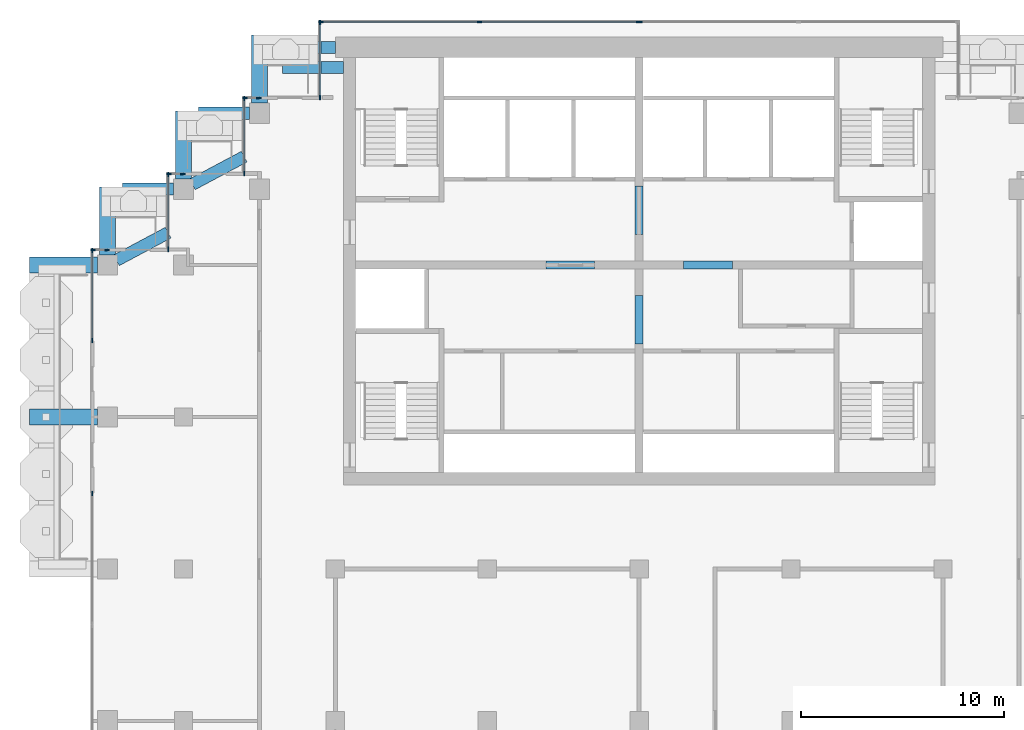
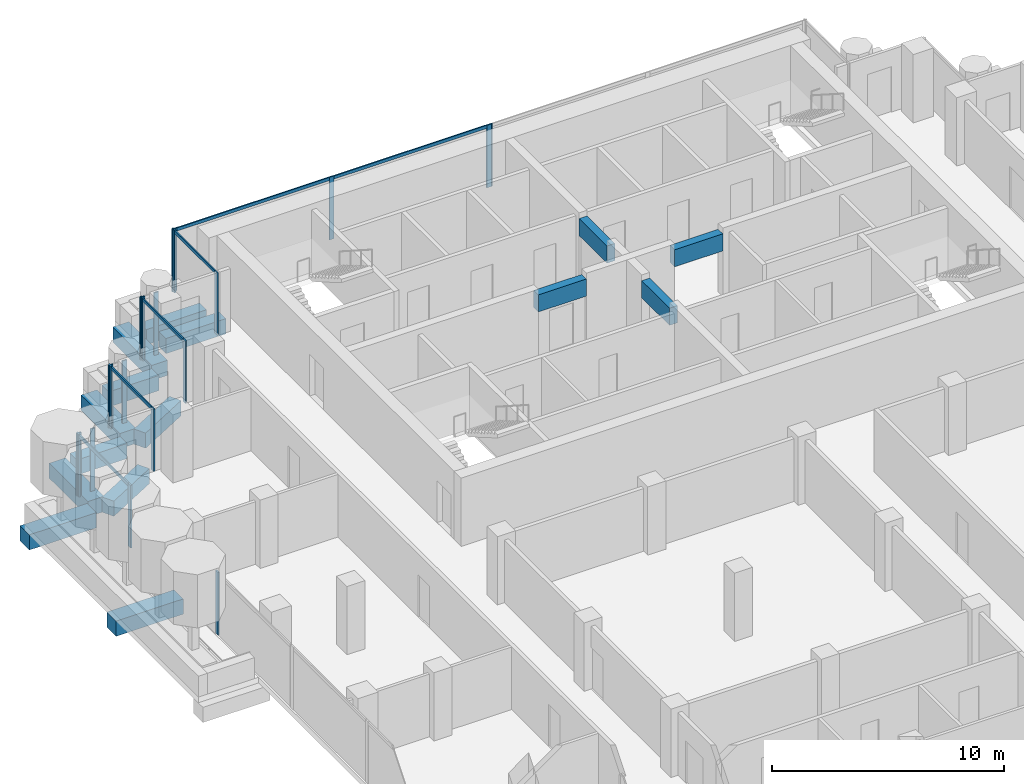
# One storey, part 5 of 17: 25 members, 15 beams, 10 elements without a shape of their own.
"""IFC4 building model written with IfcOpenShell, lengths in metres."""

from ifc_helpers import new_model, si_unit, direction, frame, origin, origin_2d, place, context, subcontext, project, spatial, rectangle, extrude, material, material_profile, profile_set, type_object, element, aggregate, save


model = new_model("IFC4")

# Units and contexts
model_context = context("Model", 3, precision=1e-05, world=origin(), true_north=direction((0.0, 1.0)))
body_context = subcontext(model_context, "Body", "Model", "MODEL_VIEW")
ifc_project = project(units=[si_unit("LENGTHUNIT", "METRE"), si_unit("AREAUNIT", "SQUARE_METRE"), si_unit("VOLUMEUNIT", "CUBIC_METRE"), si_unit("PLANEANGLEUNIT", "RADIAN"), si_unit("MASSUNIT", "GRAM", prefix="KILO")], contexts=[model_context])

# Site, building, storey
site_placement = place(None, origin())
site = spatial("IfcSite", under=ifc_project, at=site_placement, CompositionType="ELEMENT")
building_placement = place(site_placement, origin())
building = spatial("IfcBuilding", under=site, at=building_placement, Name="Pilkhan Gate Tower", CompositionType="ELEMENT")
storey_placement = place(building_placement, frame((0.0, 0.0, 213.89990234375)))
storey = spatial("IfcBuildingStorey", under=building, at=storey_placement, Name="L55", CompositionType="ELEMENT", Elevation=213.89990234375)

# Beams
ifc_material_1 = material(Name="Concrete C50/60", Category="concrete")
ifc_material_profile_1 = material_profile(ifc_material_1, rectangle(XDim=0.60009765625, YDim=0.800048828125, at=origin_2d()), Name="RC 600x800")
ifc_profile_set_1 = profile_set([ifc_material_profile_1], Name="Concrete C50/60")
beam_type_1 = type_object("IfcBeamType", Name="Cantilever beam CB1 RC 600x800 C50/60", PredefinedType="BEAM", material=ifc_profile_set_1)
for number, where, z_axis, x_axis, name in (
    (1, (60.0, 93.25, -0.699951171875), (-1.0, 0.0, 0.0), (0.0, -1.0, 0.0), "Balcony beam NW.2 L55"),
    (2, (60.39990234375, 92.25, -0.699951171875), (-1.0, 0.0, 0.0), (0.0, -1.0, 0.0), "Balcony beam NW.3 L55"),
):
    element("IfcBeam", number, at=place(storey_placement, frame(where, z_axis=z_axis, x_axis=x_axis)), inside=storey, type_object=beam_type_1, Name=name, PredefinedType="BEAM", context=body_context, shape_type="SweptSolid", body=[
        extrude(rectangle(XDim=0.60009765625, YDim=0.800048828125, at=origin_2d()), origin(), (0.0, 0.0, 1.0), 3.0),
    ])
beam_1_placement = place(storey_placement, frame((55.75, 90.0, -0.699951171875), z_axis=(-1.0, 0.0, 0.0), x_axis=(0.0, -1.0, 0.0)))
element("IfcBeam", 3, at=beam_1_placement, inside=storey, type_object=beam_type_1, Name="Balcony beam NW1.2 L55", PredefinedType="BEAM", context=body_context, shape_type="SweptSolid", body=[
    extrude(rectangle(XDim=0.60009765625, YDim=0.800048828125, at=origin_2d()), origin(), (0.0, 0.0, 1.0), 2.5),
])
beam_2_placement = place(storey_placement, frame((52.941162109375, 86.4853515625, -0.699951171875), z_axis=(0.882348280344, 0.470596974251, 0.0), x_axis=(-0.470596974251, 0.882348280344, 0.0)))
element("IfcBeam", 4, at=beam_2_placement, inside=storey, type_object=beam_type_1, Name="Balcony beam NW1.3 L55", PredefinedType="BEAM", context=body_context, shape_type="SweptSolid", body=[
    extrude(rectangle(XDim=0.60009765625, YDim=0.800048828125, at=origin_2d()), origin(), (0.0, 0.0, 1.0), 2.900146484375),
])
beam_3_placement = place(storey_placement, frame((52.0, 86.25, -0.699951171875), z_axis=(-1.0, 0.0, 0.0), x_axis=(0.0, -1.0, 0.0)))
element("IfcBeam", 5, at=beam_3_placement, inside=storey, type_object=beam_type_1, Name="Balcony beam NW2.2 L55", PredefinedType="BEAM", context=body_context, shape_type="SweptSolid", body=[
    extrude(rectangle(XDim=0.60009765625, YDim=0.800048828125, at=origin_2d()), origin(), (0.0, 0.0, 1.0), 2.5),
])
beam_4_placement = place(storey_placement, frame((49.191162109375, 82.7353515625, -0.699951171875), z_axis=(0.882348280344, 0.470596974251, 0.0), x_axis=(-0.470596974251, 0.882348280344, 0.0)))
element("IfcBeam", 6, at=beam_4_placement, inside=storey, type_object=beam_type_1, Name="Balcony beam NW2.3 L55", PredefinedType="BEAM", context=body_context, shape_type="SweptSolid", body=[
    extrude(rectangle(XDim=0.60009765625, YDim=0.800048828125, at=origin_2d()), origin(), (0.0, 0.0, 1.0), 2.900146484375),
])
ifc_material_profile_2 = material_profile(ifc_material_1, rectangle(XDim=0.800048828125, YDim=0.800048828125, at=origin_2d()), Name="RC 800x800")
ifc_profile_set_2 = profile_set([ifc_material_profile_2], Name="Concrete C50/60")
beam_type_2 = type_object("IfcBeamType", Name="Cantilever beam CB2 RC 800x800 C50/60", PredefinedType="BEAM", material=ifc_profile_set_2)
for number, where, z_axis, x_axis, name in (
    (7, (56.25, 90.5, -0.699951171875), (0.0, 1.0, 0.0), (-1.0, 0.0, 0.0), "Balcony beam NW.1 L55"),
    (8, (52.5, 86.75, -0.699951171875), (0.0, 1.0, 0.0), (-1.0, 0.0, 0.0), "Balcony beam NW1.1 L55"),
    (9, (48.75, 83.0, -0.699951171875), (0.0, 1.0, 0.0), (-1.0, 0.0, 0.0), "Balcony beam NW2.1 L55"),
    (10, (48.25, 75.0, -0.699951171875), (-1.0, 0.0, 0.0), (0.0, -1.0, 0.0), "Balcony beam W.2 L55"),
    (11, (48.25, 82.5, -0.699951171875), (-1.0, 0.0, 0.0), (0.0, -1.0, 0.0), "Balcony beam W.3 L55"),
):
    element("IfcBeam", number, at=place(storey_placement, frame(where, z_axis=z_axis, x_axis=x_axis)), inside=storey, type_object=beam_type_2, Name=name, PredefinedType="BEAM", context=body_context, shape_type="SweptSolid", body=[
        extrude(rectangle(XDim=0.800048828125, YDim=0.800048828125, at=origin_2d()), origin(), (0.0, 0.0, 1.0), 3.35009765625),
    ])
ifc_material_profile_3 = material_profile(ifc_material_1, rectangle(XDim=0.39990234375, YDim=0.89990234375, at=origin_2d()), Name="RC 400x900")
ifc_profile_set_3 = profile_set([ifc_material_profile_3], Name="Concrete C50/60")
beam_type_3 = type_object("IfcBeamType", Name="Coupling beam CB90-4 RC 400x900 C50/60", PredefinedType="LINTEL", material=ifc_profile_set_3)
for number, where, z_axis, x_axis, name in (
    (12, (70.39990234375, 82.5, 2.85009765625), (1.0, 0.0, 0.0), (0.0, 1.0, 0.0), "Coupling beam 1 L55"),
    (13, (77.199951171875, 82.5, 2.85009765625), (1.0, 0.0, 0.0), (0.0, 1.0, 0.0), "Coupling beam 2 L55"),
):
    element("IfcBeam", number, at=place(storey_placement, frame(where, z_axis=z_axis, x_axis=x_axis)), inside=storey, type_object=beam_type_3, Name=name, PredefinedType="LINTEL", context=body_context, shape_type="SweptSolid", body=[
        extrude(rectangle(XDim=0.39990234375, YDim=0.89990234375, at=origin_2d()), origin(), (0.0, 0.0, 1.0), 2.400146484375),
    ])
for number, where, z_axis, x_axis, name in (
    (14, (75.0, 78.60009765625, 2.85009765625), (0.0, 1.0, 0.0), (-1.0, 0.0, 0.0), "Coupling beam 3 L55"),
    (15, (75.0, 84.0, 2.85009765625), (0.0, 1.0, 0.0), (-1.0, 0.0, 0.0), "Coupling beam 4 L55"),
):
    element("IfcBeam", number, at=place(storey_placement, frame(where, z_axis=z_axis, x_axis=x_axis)), inside=storey, type_object=beam_type_3, Name=name, PredefinedType="LINTEL", context=body_context, shape_type="SweptSolid", body=[
        extrude(rectangle(XDim=0.39990234375, YDim=0.89990234375, at=origin_2d()), origin(), (0.0, 0.0, 1.0), 2.39990234375),
    ])

# Curtain wall, members
ifc_material_2 = material(Name="Pale anodised aluminium, clear low-iron double glazing", Category="aluminium")
curtain_wall_type = type_object("IfcCurtainWallType", Name="Office unitised curtain wall CW-O2", PredefinedType="USERDEFINED", material=ifc_material_2)
curtain_wall_1_placement = place(storey_placement, origin())
curtain_wall_1 = element("IfcCurtainWall", 16, at=curtain_wall_1_placement, inside=storey, type_object=curtain_wall_type, Name="Office unitised curtain wall CW-O2 L55 N", ObjectType="UNITISED CURTAIN WALL", PredefinedType="USERDEFINED")
ifc_material_3 = material(Name="Pale anodised aluminium", Category="aluminium")
ifc_material_profile_4 = material_profile(ifc_material_3, rectangle(XDim=0.06494140625, YDim=0.22509765625, at=origin_2d()), Name="Mullion 225x65")
ifc_profile_set_4 = profile_set([ifc_material_profile_4], Name="Pale anodised aluminium")
member_type_1 = type_object("IfcMemberType", Name="Mullion CW-O2 225x65", PredefinedType="MULLION", material=ifc_profile_set_4)
member_1_placement = place(storey_placement, frame((59.282470703125, 94.5, 0.0), z_axis=(0.0, 0.0, 1.0), x_axis=(0.0, 1.0, 0.0)))
member_1 = element("IfcMember", 17, at=member_1_placement, type_object=member_type_1, Name="CW-O2 mullion 1", PredefinedType="MULLION", context=body_context, shape_type="SweptSolid", body=[
    extrude(rectangle(XDim=0.06494140625, YDim=0.22509765625, at=origin_2d()), origin(), (0.0, 0.0, 1.0), 3.300048828125),
])
member_2_placement = place(storey_placement, frame((67.125, 94.5, 0.0), z_axis=(0.0, 0.0, 1.0), x_axis=(0.0, 1.0, 0.0)))
member_2 = element("IfcMember", 18, at=member_2_placement, type_object=member_type_1, Name="CW-O2 mullion 2", PredefinedType="MULLION", context=body_context, shape_type="SweptSolid", body=[
    extrude(rectangle(XDim=0.06494140625, YDim=0.22509765625, at=origin_2d()), origin(), (0.0, 0.0, 1.0), 3.300048828125),
])
member_3_placement = place(storey_placement, frame((74.967529296875, 94.5, 0.0), z_axis=(0.0, 0.0, 1.0), x_axis=(0.0, 1.0, 0.0)))
member_3 = element("IfcMember", 19, at=member_3_placement, type_object=member_type_1, Name="CW-O2 mullion 3", PredefinedType="MULLION", context=body_context, shape_type="SweptSolid", body=[
    extrude(rectangle(XDim=0.06494140625, YDim=0.22509765625, at=origin_2d()), origin(), (0.0, 0.0, 1.0), 3.300048828125),
])

# Curtain wall, member
curtain_wall_2_placement = place(storey_placement, origin())
curtain_wall_2 = element("IfcCurtainWall", 20, at=curtain_wall_2_placement, inside=storey, type_object=curtain_wall_type, Name="Office unitised curtain wall CW-O2 L55 N", ObjectType="UNITISED CURTAIN WALL", PredefinedType="USERDEFINED")
member_4_placement = place(storey_placement, frame((75.032470703125, 94.5, 0.0), z_axis=(0.0, 0.0, 1.0), x_axis=(0.0, 1.0, 0.0)))
member_4 = element("IfcMember", 21, at=member_4_placement, type_object=member_type_1, Name="CW-O2 mullion 1", PredefinedType="MULLION", context=body_context, shape_type="SweptSolid", body=[
    extrude(rectangle(XDim=0.06494140625, YDim=0.22509765625, at=origin_2d()), origin(), (0.0, 0.0, 1.0), 3.300048828125),
])
aggregate(curtain_wall_2, [member_4])

# Curtain wall, members
curtain_wall_3_placement = place(storey_placement, origin())
curtain_wall_3 = element("IfcCurtainWall", 22, at=curtain_wall_3_placement, inside=storey, type_object=curtain_wall_type, Name="Office unitised curtain wall CW-O2 L55 W", ObjectType="UNITISED CURTAIN WALL", PredefinedType="USERDEFINED")
member_5_placement = place(storey_placement, frame((59.25, 90.782470703125, 0.0), z_axis=(0.0, 0.0, 1.0), x_axis=(-1.0, 0.0, 0.0)))
member_5 = element("IfcMember", 23, at=member_5_placement, type_object=member_type_1, Name="CW-O2 mullion 1", PredefinedType="MULLION", context=body_context, shape_type="SweptSolid", body=[
    extrude(rectangle(XDim=0.06494140625, YDim=0.22509765625, at=origin_2d()), origin(), (0.0, 0.0, 1.0), 3.300048828125),
])
member_6_placement = place(storey_placement, frame((59.25, 94.467529296875, 0.0), z_axis=(0.0, 0.0, 1.0), x_axis=(-1.0, 0.0, 0.0)))
member_6 = element("IfcMember", 24, at=member_6_placement, type_object=member_type_1, Name="CW-O2 mullion 2", PredefinedType="MULLION", context=body_context, shape_type="SweptSolid", body=[
    extrude(rectangle(XDim=0.06494140625, YDim=0.22509765625, at=origin_2d()), origin(), (0.0, 0.0, 1.0), 3.300048828125),
])

curtain_wall_4_placement = place(storey_placement, origin())
curtain_wall_4 = element("IfcCurtainWall", 25, at=curtain_wall_4_placement, inside=storey, type_object=curtain_wall_type, Name="Office unitised curtain wall CW-O2 L55 N", ObjectType="UNITISED CURTAIN WALL", PredefinedType="USERDEFINED")
member_7_placement = place(storey_placement, frame((55.532470703125, 90.75, 0.0), z_axis=(0.0, 0.0, 1.0), x_axis=(0.0, 1.0, 0.0)))
member_7 = element("IfcMember", 26, at=member_7_placement, type_object=member_type_1, Name="CW-O2 mullion 1", PredefinedType="MULLION", context=body_context, shape_type="SweptSolid", body=[
    extrude(rectangle(XDim=0.06494140625, YDim=0.22509765625, at=origin_2d()), origin(), (0.0, 0.0, 1.0), 3.300048828125),
])
member_8_placement = place(storey_placement, frame((56.217529296875, 90.75, 0.0), z_axis=(0.0, 0.0, 1.0), x_axis=(0.0, 1.0, 0.0)))
member_8 = element("IfcMember", 27, at=member_8_placement, type_object=member_type_1, Name="CW-O2 mullion 2", PredefinedType="MULLION", context=body_context, shape_type="SweptSolid", body=[
    extrude(rectangle(XDim=0.06494140625, YDim=0.22509765625, at=origin_2d()), origin(), (0.0, 0.0, 1.0), 3.300048828125),
])
aggregate(curtain_wall_4, [member_7, member_8])

curtain_wall_5_placement = place(storey_placement, origin())
curtain_wall_5 = element("IfcCurtainWall", 28, at=curtain_wall_5_placement, inside=storey, type_object=curtain_wall_type, Name="Office unitised curtain wall CW-O2 L55 W", ObjectType="UNITISED CURTAIN WALL", PredefinedType="USERDEFINED")
member_9_placement = place(storey_placement, frame((55.5, 87.032470703125, 0.0), z_axis=(0.0, 0.0, 1.0), x_axis=(-1.0, 0.0, 0.0)))
member_9 = element("IfcMember", 29, at=member_9_placement, type_object=member_type_1, Name="CW-O2 mullion 1", PredefinedType="MULLION", context=body_context, shape_type="SweptSolid", body=[
    extrude(rectangle(XDim=0.06494140625, YDim=0.22509765625, at=origin_2d()), origin(), (0.0, 0.0, 1.0), 3.300048828125),
])
member_10_placement = place(storey_placement, frame((55.5, 90.717529296875, 0.0), z_axis=(0.0, 0.0, 1.0), x_axis=(-1.0, 0.0, 0.0)))
member_10 = element("IfcMember", 30, at=member_10_placement, type_object=member_type_1, Name="CW-O2 mullion 2", PredefinedType="MULLION", context=body_context, shape_type="SweptSolid", body=[
    extrude(rectangle(XDim=0.06494140625, YDim=0.22509765625, at=origin_2d()), origin(), (0.0, 0.0, 1.0), 3.300048828125),
])

curtain_wall_6_placement = place(storey_placement, origin())
curtain_wall_6 = element("IfcCurtainWall", 31, at=curtain_wall_6_placement, inside=storey, type_object=curtain_wall_type, Name="Office unitised curtain wall CW-O2 L55 N", ObjectType="UNITISED CURTAIN WALL", PredefinedType="USERDEFINED")
member_11_placement = place(storey_placement, frame((51.782470703125, 87.0, 0.0), z_axis=(0.0, 0.0, 1.0), x_axis=(0.0, 1.0, 0.0)))
member_11 = element("IfcMember", 32, at=member_11_placement, type_object=member_type_1, Name="CW-O2 mullion 1", PredefinedType="MULLION", context=body_context, shape_type="SweptSolid", body=[
    extrude(rectangle(XDim=0.06494140625, YDim=0.22509765625, at=origin_2d()), origin(), (0.0, 0.0, 1.0), 3.300048828125),
])
member_12_placement = place(storey_placement, frame((52.467529296875, 87.0, 0.0), z_axis=(0.0, 0.0, 1.0), x_axis=(0.0, 1.0, 0.0)))
member_12 = element("IfcMember", 33, at=member_12_placement, type_object=member_type_1, Name="CW-O2 mullion 2", PredefinedType="MULLION", context=body_context, shape_type="SweptSolid", body=[
    extrude(rectangle(XDim=0.06494140625, YDim=0.22509765625, at=origin_2d()), origin(), (0.0, 0.0, 1.0), 3.300048828125),
])
aggregate(curtain_wall_6, [member_11, member_12])

curtain_wall_7_placement = place(storey_placement, origin())
curtain_wall_7 = element("IfcCurtainWall", 34, at=curtain_wall_7_placement, inside=storey, type_object=curtain_wall_type, Name="Office unitised curtain wall CW-O2 L55 W", ObjectType="UNITISED CURTAIN WALL", PredefinedType="USERDEFINED")
member_13_placement = place(storey_placement, frame((51.75, 83.282470703125, 0.0), z_axis=(0.0, 0.0, 1.0), x_axis=(-1.0, 0.0, 0.0)))
member_13 = element("IfcMember", 35, at=member_13_placement, type_object=member_type_1, Name="CW-O2 mullion 1", PredefinedType="MULLION", context=body_context, shape_type="SweptSolid", body=[
    extrude(rectangle(XDim=0.06494140625, YDim=0.22509765625, at=origin_2d()), origin(), (0.0, 0.0, 1.0), 3.300048828125),
])
member_14_placement = place(storey_placement, frame((51.75, 86.967529296875, 0.0), z_axis=(0.0, 0.0, 1.0), x_axis=(-1.0, 0.0, 0.0)))
member_14 = element("IfcMember", 36, at=member_14_placement, type_object=member_type_1, Name="CW-O2 mullion 2", PredefinedType="MULLION", context=body_context, shape_type="SweptSolid", body=[
    extrude(rectangle(XDim=0.06494140625, YDim=0.22509765625, at=origin_2d()), origin(), (0.0, 0.0, 1.0), 3.300048828125),
])

curtain_wall_8_placement = place(storey_placement, origin())
curtain_wall_8 = element("IfcCurtainWall", 37, at=curtain_wall_8_placement, inside=storey, type_object=curtain_wall_type, Name="Office unitised curtain wall CW-O2 L55 N", ObjectType="UNITISED CURTAIN WALL", PredefinedType="USERDEFINED")
member_15_placement = place(storey_placement, frame((48.032470703125, 83.25, 0.0), z_axis=(0.0, 0.0, 1.0), x_axis=(0.0, 1.0, 0.0)))
member_15 = element("IfcMember", 38, at=member_15_placement, type_object=member_type_1, Name="CW-O2 mullion 1", PredefinedType="MULLION", context=body_context, shape_type="SweptSolid", body=[
    extrude(rectangle(XDim=0.06494140625, YDim=0.22509765625, at=origin_2d()), origin(), (0.0, 0.0, 1.0), 3.300048828125),
])
member_16_placement = place(storey_placement, frame((48.717529296875, 83.25, 0.0), z_axis=(0.0, 0.0, 1.0), x_axis=(0.0, 1.0, 0.0)))
member_16 = element("IfcMember", 39, at=member_16_placement, type_object=member_type_1, Name="CW-O2 mullion 2", PredefinedType="MULLION", context=body_context, shape_type="SweptSolid", body=[
    extrude(rectangle(XDim=0.06494140625, YDim=0.22509765625, at=origin_2d()), origin(), (0.0, 0.0, 1.0), 3.300048828125),
])
aggregate(curtain_wall_8, [member_15, member_16])

# Curtain wall, member
curtain_wall_9_placement = place(storey_placement, origin())
curtain_wall_9 = element("IfcCurtainWall", 40, at=curtain_wall_9_placement, inside=storey, type_object=curtain_wall_type, Name="Office unitised curtain wall CW-O2 L55 W", ObjectType="UNITISED CURTAIN WALL", PredefinedType="USERDEFINED")
member_17_placement = place(storey_placement, frame((48.0, 71.217529296875, 0.0), z_axis=(0.0, 0.0, 1.0), x_axis=(-1.0, 0.0, 0.0)))
member_17 = element("IfcMember", 41, at=member_17_placement, type_object=member_type_1, Name="CW-O2 mullion 2", PredefinedType="MULLION", context=body_context, shape_type="SweptSolid", body=[
    extrude(rectangle(XDim=0.06494140625, YDim=0.22509765625, at=origin_2d()), origin(), (0.0, 0.0, 1.0), 3.300048828125),
])
aggregate(curtain_wall_9, [member_17])

# Curtain wall, members
curtain_wall_10_placement = place(storey_placement, origin())
curtain_wall_10 = element("IfcCurtainWall", 42, at=curtain_wall_10_placement, inside=storey, type_object=curtain_wall_type, Name="Office unitised curtain wall CW-O2 L55 W", ObjectType="UNITISED CURTAIN WALL", PredefinedType="USERDEFINED")
member_18_placement = place(storey_placement, frame((48.0, 78.782470703125, 0.0), z_axis=(0.0, 0.0, 1.0), x_axis=(-1.0, 0.0, 0.0)))
member_18 = element("IfcMember", 43, at=member_18_placement, type_object=member_type_1, Name="CW-O2 mullion 1", PredefinedType="MULLION", context=body_context, shape_type="SweptSolid", body=[
    extrude(rectangle(XDim=0.06494140625, YDim=0.22509765625, at=origin_2d()), origin(), (0.0, 0.0, 1.0), 3.300048828125),
])
member_19_placement = place(storey_placement, frame((48.0, 83.217529296875, 0.0), z_axis=(0.0, 0.0, 1.0), x_axis=(-1.0, 0.0, 0.0)))
member_19 = element("IfcMember", 44, at=member_19_placement, type_object=member_type_1, Name="CW-O2 mullion 2", PredefinedType="MULLION", context=body_context, shape_type="SweptSolid", body=[
    extrude(rectangle(XDim=0.06494140625, YDim=0.22509765625, at=origin_2d()), origin(), (0.0, 0.0, 1.0), 3.300048828125),
])

# Member
ifc_material_profile_5 = material_profile(ifc_material_3, rectangle(XDim=0.06494140625, YDim=0.1650390625, at=origin_2d()), Name="Transom 165x65")
ifc_profile_set_5 = profile_set([ifc_material_profile_5], Name="Pale anodised aluminium")
member_type_2 = type_object("IfcMemberType", Name="Transom CW-O2 165x65", PredefinedType="USERDEFINED", material=ifc_profile_set_5)
member_20_placement = place(storey_placement, frame((59.31494140625, 94.5, 3.217529296875), z_axis=(1.0, 0.0, 0.0), x_axis=(0.0, 1.0, 0.0)))
member_20 = element("IfcMember", 45, at=member_20_placement, type_object=member_type_2, Name="CW-O2 transom 1", ObjectType="TRANSOM", PredefinedType="USERDEFINED", context=body_context, shape_type="SweptSolid", body=[
    extrude(rectangle(XDim=0.06494140625, YDim=0.1650390625, at=origin_2d()), origin(), (0.0, 0.0, 1.0), 7.777587890625),
])

member_21_placement = place(storey_placement, frame((67.157470703125, 94.5, 3.217529296875), z_axis=(1.0, 0.0, 0.0), x_axis=(0.0, 1.0, 0.0)))
member_21 = element("IfcMember", 46, at=member_21_placement, type_object=member_type_2, Name="CW-O2 transom 2", ObjectType="TRANSOM", PredefinedType="USERDEFINED", context=body_context, shape_type="SweptSolid", body=[
    extrude(rectangle(XDim=0.06494140625, YDim=0.1650390625, at=origin_2d()), origin(), (0.0, 0.0, 1.0), 7.777587890625),
])

aggregate(curtain_wall_1, [member_1, member_2, member_3, member_20, member_21])

member_22_placement = place(storey_placement, frame((59.25, 90.81494140625, 3.217529296875), z_axis=(0.0, 1.0, 0.0), x_axis=(-1.0, 0.0, 0.0)))
member_22 = element("IfcMember", 47, at=member_22_placement, type_object=member_type_2, Name="CW-O2 transom 1", ObjectType="TRANSOM", PredefinedType="USERDEFINED", context=body_context, shape_type="SweptSolid", body=[
    extrude(rectangle(XDim=0.06494140625, YDim=0.1650390625, at=origin_2d()), origin(), (0.0, 0.0, 1.0), 3.6201171875),
])

aggregate(curtain_wall_3, [member_5, member_6, member_22])

member_23_placement = place(storey_placement, frame((55.5, 87.06494140625, 3.217529296875), z_axis=(0.0, 1.0, 0.0), x_axis=(-1.0, 0.0, 0.0)))
member_23 = element("IfcMember", 48, at=member_23_placement, type_object=member_type_2, Name="CW-O2 transom 1", ObjectType="TRANSOM", PredefinedType="USERDEFINED", context=body_context, shape_type="SweptSolid", body=[
    extrude(rectangle(XDim=0.06494140625, YDim=0.1650390625, at=origin_2d()), origin(), (0.0, 0.0, 1.0), 3.6201171875),
])

aggregate(curtain_wall_5, [member_9, member_10, member_23])

member_24_placement = place(storey_placement, frame((51.75, 83.31494140625, 3.217529296875), z_axis=(0.0, 1.0, 0.0), x_axis=(-1.0, 0.0, 0.0)))
member_24 = element("IfcMember", 49, at=member_24_placement, type_object=member_type_2, Name="CW-O2 transom 1", ObjectType="TRANSOM", PredefinedType="USERDEFINED", context=body_context, shape_type="SweptSolid", body=[
    extrude(rectangle(XDim=0.06494140625, YDim=0.1650390625, at=origin_2d()), origin(), (0.0, 0.0, 1.0), 3.6201171875),
])

aggregate(curtain_wall_7, [member_13, member_14, member_24])

member_25_placement = place(storey_placement, frame((48.0, 78.81494140625, 3.217529296875), z_axis=(0.0, 1.0, 0.0), x_axis=(-1.0, 0.0, 0.0)))
member_25 = element("IfcMember", 50, at=member_25_placement, type_object=member_type_2, Name="CW-O2 transom 1", ObjectType="TRANSOM", PredefinedType="USERDEFINED", context=body_context, shape_type="SweptSolid", body=[
    extrude(rectangle(XDim=0.06494140625, YDim=0.1650390625, at=origin_2d()), origin(), (0.0, 0.0, 1.0), 4.3701171875),
])

aggregate(curtain_wall_10, [member_18, member_19, member_25])

save(model, "model.ifc")
